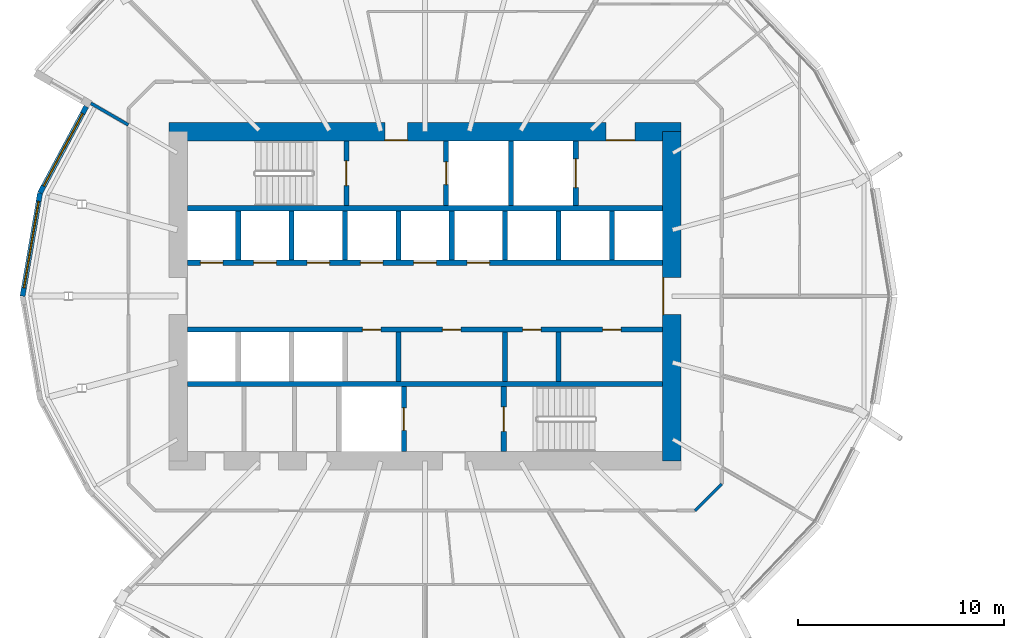
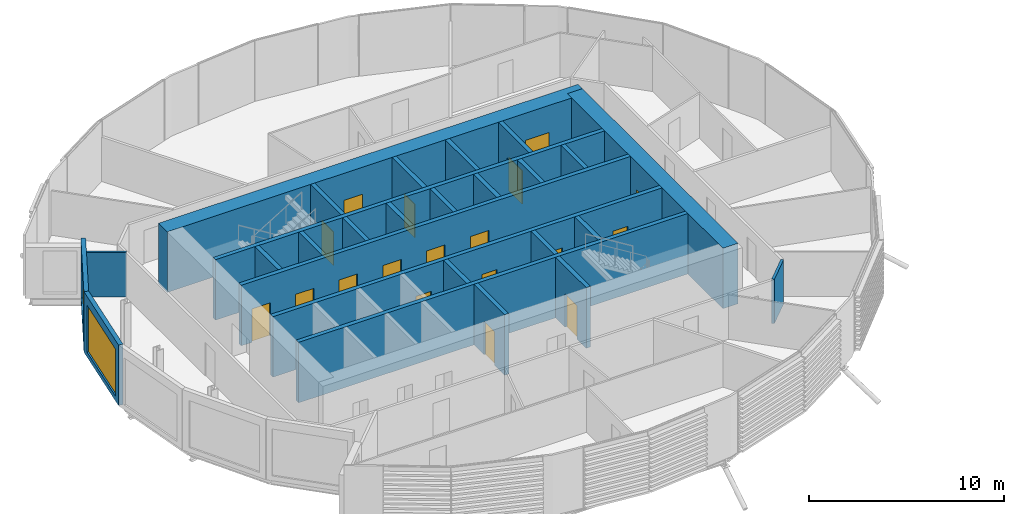
# One storey, part 21 of 37: 27 walls, 18 doors, 2 windows, 20 openings.
"""IFC4 building model written with IfcOpenShell, lengths in metres."""

from ifc_helpers import new_model, si_unit, direction, frame, frame_2d, origin, place, context, subcontext, project, spatial, rectangle, extrude, material, layer, layer_set, type_object, element, fill, save


model = new_model("IFC4")

# Units and contexts
model_context = context("Model", 3, precision=1e-05, world=origin(), true_north=direction((0.0, 1.0)))
body_context = subcontext(model_context, "Body", "Model", "MODEL_VIEW")
ifc_project = project(units=[si_unit("LENGTHUNIT", "METRE"), si_unit("AREAUNIT", "SQUARE_METRE"), si_unit("VOLUMEUNIT", "CUBIC_METRE"), si_unit("PLANEANGLEUNIT", "RADIAN"), si_unit("MASSUNIT", "GRAM", prefix="KILO")], contexts=[model_context])

# Site, building, storey
site_placement = place(None, origin())
site = spatial("IfcSite", under=ifc_project, at=site_placement, CompositionType="ELEMENT")
building_placement = place(site_placement, origin())
building = spatial("IfcBuilding", under=site, at=building_placement, Name="Rimbun Link Towers", CompositionType="ELEMENT")
storey_placement = place(building_placement, frame((0.0, 0.0, 45.199951171875)))
storey = spatial("IfcBuildingStorey", under=building, at=storey_placement, Name="L10", CompositionType="ELEMENT", Elevation=45.199951171875)

# Wall, opening, window
ifc_material_1 = material(Name="Dark enamelled glass spandrel on insulated aluminium backpan", Category="aluminium")
ifc_layer_1 = layer(ifc_material_1, 0.25)
ifc_layer_set_1 = layer_set([ifc_layer_1], Name="CS dark enamelled spandrel wall 250")
wall_type_1 = type_object("IfcWallType", Name="CS dark enamelled spandrel wall 250", PredefinedType="STANDARD", material=ifc_layer_set_1)
wall_1_placement = place(storey_placement, frame((-50.4658203125, 5.023681640625, 0.0), z_axis=(0.0, 0.0, 1.0), x_axis=(0.471684712183, 0.881767277853, 0.0)))
wall_1 = element("IfcWall", 1, at=wall_1_placement, inside=storey, type_object=wall_type_1, Name="Crease spandrel wall", PredefinedType="STANDARD", context=body_context, shape_type="SweptSolid", body=[
    extrude(rectangle(XDim=4.759765625, YDim=0.25, at=frame_2d((2.3798828125, 0.0))), origin(), (0.0, 0.0, 1.0), 3.800048828125),
])
opening_1_placement = place(wall_1_placement, frame((0.3798828125, 0.0, 0.300048828125)))
opening_1 = element("IfcOpeningElement", 2, at=opening_1_placement, cuts=wall_1, Name="Opening WR40H295", PredefinedType="OPENING", context=body_context, shape_type="SweptSolid", body=[
    extrude(rectangle(XDim=4.0, YDim=2.949951171875, at=frame_2d((2.0, 1.47509765625))), frame((0.0, 0.135009765625, 0.0), z_axis=(0.0, -1.0, 0.0), x_axis=(1.0, 0.0, 0.0)), (0.0, 0.0, 1.0), 0.27001953125),
])
ifc_material_2 = material(Name="Aluminium framed fixed window, dark tinted low-e glass", Category="aluminium")
window_type_1 = type_object("IfcWindowType", Name="WR ribbon window 4000X2950", PartitioningType="SINGLE_PANEL", PredefinedType="WINDOW", material=ifc_material_2)
window_1_placement = place(opening_1_placement, origin())
window_1 = element("IfcWindow", 3, at=window_1_placement, inside=storey, type_object=window_type_1, Name="Crease ribbon window", OverallHeight=2.949951171875, OverallWidth=4.0, PartitioningType="SINGLE_PANEL", PredefinedType="WINDOW", context=body_context, shape_type="SweptSolid", body=[
    extrude(rectangle(XDim=4.0, YDim=2.949951171875, at=frame_2d((2.0, 1.47509765625))), frame((0.0, 0.030029296875, 0.0), z_axis=(0.0, -1.0, 0.0), x_axis=(1.0, 0.0, 0.0)), (0.0, 0.0, 1.0), 0.06005859375),
])
fill(opening_1, window_1)

wall_2_placement = place(storey_placement, frame((-51.318603515625, 0.0, 0.0), z_axis=(0.0, 0.0, 1.0), x_axis=(0.167358464332, 0.985896112385, 0.0)))
wall_2 = element("IfcWall", 4, at=wall_2_placement, inside=storey, type_object=wall_type_1, Name="Crease spandrel wall", PredefinedType="STANDARD", context=body_context, shape_type="SweptSolid", body=[
    extrude(rectangle(XDim=5.095458984375, YDim=0.25, at=frame_2d((2.5478515625, 0.0))), origin(), (0.0, 0.0, 1.0), 3.800048828125),
])
opening_2_placement = place(wall_2_placement, frame((0.4228515625, 0.0, 0.300048828125)))
opening_2 = element("IfcOpeningElement", 5, at=opening_2_placement, cuts=wall_2, Name="Opening WR42H295", PredefinedType="OPENING", context=body_context, shape_type="SweptSolid", body=[
    extrude(rectangle(XDim=4.25, YDim=2.949951171875, at=frame_2d((2.125, 1.47509765625))), frame((0.0, 0.135009765625, 0.0), z_axis=(0.0, -1.0, 0.0), x_axis=(1.0, 0.0, 0.0)), (0.0, 0.0, 1.0), 0.27001953125),
])
ifc_material_3 = material(Name="Aluminium framed fixed window, dark tinted low-e glass", Category="aluminium")
window_type_2 = type_object("IfcWindowType", Name="WR ribbon window 4250X2950", PartitioningType="SINGLE_PANEL", PredefinedType="WINDOW", material=ifc_material_3)
window_2_placement = place(opening_2_placement, origin())
window_2 = element("IfcWindow", 6, at=window_2_placement, inside=storey, type_object=window_type_2, Name="Crease ribbon window", OverallHeight=2.949951171875, OverallWidth=4.25, PartitioningType="SINGLE_PANEL", PredefinedType="WINDOW", context=body_context, shape_type="SweptSolid", body=[
    extrude(rectangle(XDim=4.25, YDim=2.949951171875, at=frame_2d((2.125, 1.47509765625))), frame((0.0, 0.030029296875, 0.0), z_axis=(0.0, -1.0, 0.0), x_axis=(1.0, 0.0, 0.0)), (0.0, 0.0, 1.0), 0.06005859375),
])
fill(opening_2, window_2)

# Wall, openings, doors
ifc_material_4 = material(Name="Concrete C60/75", Category="concrete")
ifc_layer_2 = layer(ifc_material_4, 0.89990234375)
ifc_layer_set_2 = layer_set([ifc_layer_2], Name="Core shear wall 900")
wall_type_2 = type_object("IfcWallType", Name="Core shear wall 900", PredefinedType="SHEAR", material=ifc_layer_set_2)
wall_3_placement = place(storey_placement, frame((-44.199951171875, 8.0, 0.0), z_axis=(0.0, 0.0, 1.0), x_axis=(1.0, 0.0, 0.0)))
wall_3 = element("IfcWall", 7, at=wall_3_placement, inside=storey, type_object=wall_type_2, Name="L10 T1 core wall N", PredefinedType="SHEAR", context=body_context, shape_type="SweptSolid", body=[
    extrude(rectangle(XDim=24.89990234375, YDim=0.89990234375, at=frame_2d((12.449951171875, 0.0))), origin(), (0.0, 0.0, 1.0), 3.800048828125),
])
opening_3_placement = place(wall_3_placement, frame((10.5, 0.0, 0.0)))
opening_3 = element("IfcOpeningElement", 8, at=opening_3_placement, cuts=wall_3, Name="Opening C1DCF01N", PredefinedType="OPENING", context=body_context, shape_type="SweptSolid", body=[
    extrude(rectangle(XDim=1.10009765625, YDim=2.10009765625, at=frame_2d((0.550048828125, 1.050048828125))), frame((0.0, 0.4599609375, 0.0), z_axis=(0.0, -1.0, 0.0), x_axis=(1.0, 0.0, 0.0)), (0.0, 0.0, 1.0), 0.919921875),
])
opening_4_placement = place(wall_3_placement, frame((21.25, 0.0, 0.0)))
opening_4 = element("IfcOpeningElement", 9, at=opening_4_placement, cuts=wall_3, Name="Opening C1DSL02N", PredefinedType="OPENING", context=body_context, shape_type="SweptSolid", body=[
    extrude(rectangle(XDim=1.39990234375, YDim=2.10009765625, at=frame_2d((0.699951171875, 1.050048828125))), frame((0.0, 0.4599609375, 0.0), z_axis=(0.0, -1.0, 0.0), x_axis=(1.0, 0.0, 0.0)), (0.0, 0.0, 1.0), 0.919921875),
])
ifc_material_5 = material(Name="Steel fire door set", Category="steel")
door_type_1 = type_object("IfcDoorType", Name="Core fire door single", OperationType="SINGLE_SWING_LEFT", PredefinedType="DOOR", material=ifc_material_5)
door_1_placement = place(opening_3_placement, origin())
door_1 = element("IfcDoor", 10, at=door_1_placement, inside=storey, type_object=door_type_1, Name="L10 T1 firefighting lobby n door", OperationType="SINGLE_SWING_LEFT", OverallHeight=2.10009765625, OverallWidth=1.10009765625, PredefinedType="DOOR", context=body_context, shape_type="SweptSolid", body=[
    extrude(rectangle(XDim=1.10009765625, YDim=2.10009765625, at=frame_2d((0.550048828125, 1.050048828125))), frame((0.0, -0.39990234375, 0.0), z_axis=(0.0, -1.0, 0.0), x_axis=(1.0, 0.0, 0.0)), (0.0, 0.0, 1.0), 0.050048828125),
])
fill(opening_3, door_1)
ifc_material_6 = material(Name="Steel fire door set", Category="steel")
door_type_2 = type_object("IfcDoorType", Name="Service lobby door double", OperationType="DOUBLE_DOOR_SINGLE_SWING", PredefinedType="DOOR", material=ifc_material_6)
door_2_placement = place(opening_4_placement, origin())
door_2 = element("IfcDoor", 11, at=door_2_placement, inside=storey, type_object=door_type_2, Name="L10 T1 service lobby door", OperationType="DOUBLE_DOOR_SINGLE_SWING", OverallHeight=2.10009765625, OverallWidth=1.39990234375, PredefinedType="DOOR", context=body_context, shape_type="SweptSolid", body=[
    extrude(rectangle(XDim=1.39990234375, YDim=2.10009765625, at=frame_2d((0.699951171875, 1.050048828125))), frame((0.0, -0.39990234375, 0.0), z_axis=(0.0, -1.0, 0.0), x_axis=(1.0, 0.0, 0.0)), (0.0, 0.0, 1.0), 0.050048828125),
])
fill(opening_4, door_2)

# Wall, opening, door
wall_4_placement = place(storey_placement, frame((-19.75, -8.0, 0.0), z_axis=(0.0, 0.0, 1.0), x_axis=(0.0, 1.0, 0.0)))
wall_4 = element("IfcWall", 12, at=wall_4_placement, inside=storey, type_object=wall_type_2, Name="L10 T1 core wall E", PredefinedType="SHEAR", context=body_context, shape_type="SweptSolid", body=[
    extrude(rectangle(XDim=16.0, YDim=0.89990234375, at=frame_2d((8.0, 0.0))), origin(), (0.0, 0.0, 1.0), 3.800048828125),
])
opening_5_placement = place(wall_4_placement, frame((7.10009765625, 0.0, 0.0)))
opening_5 = element("IfcOpeningElement", 13, at=opening_5_placement, cuts=wall_4, Name="Opening C1DCL01E", PredefinedType="OPENING", context=body_context, shape_type="SweptSolid", body=[
    extrude(rectangle(XDim=1.800048828125, YDim=2.10009765625, at=frame_2d((0.89990234375, 1.050048828125))), frame((0.0, 0.4599609375, 0.0), z_axis=(0.0, -1.0, 0.0), x_axis=(1.0, 0.0, 0.0)), (0.0, 0.0, 1.0), 0.919921875),
])
ifc_material_7 = material(Name="Steel fire door set", Category="steel")
door_type_3 = type_object("IfcDoorType", Name="Core lobby door double", OperationType="DOUBLE_DOOR_SINGLE_SWING", PredefinedType="DOOR", material=ifc_material_7)
door_3_placement = place(opening_5_placement, origin())
door_3 = element("IfcDoor", 14, at=door_3_placement, inside=storey, type_object=door_type_3, Name="L10 T1 lift lobby door", OperationType="DOUBLE_DOOR_SINGLE_SWING", OverallHeight=2.10009765625, OverallWidth=1.800048828125, PredefinedType="DOOR", context=body_context, shape_type="SweptSolid", body=[
    extrude(rectangle(XDim=1.800048828125, YDim=2.10009765625, at=frame_2d((0.89990234375, 1.050048828125))), frame((0.0, 0.4501953125, 0.0), z_axis=(0.0, -1.0, 0.0), x_axis=(1.0, 0.0, 0.0)), (0.0, 0.0, 1.0), 0.050048828125),
])
fill(opening_5, door_3)

# Walls
ifc_material_8 = material(Name="Plasterboard on steel stud, mineral wool", Category="steel")
ifc_layer_3 = layer(ifc_material_8, 0.14990234375)
ifc_layer_set_3 = layer_set([ifc_layer_3], Name="Corridor wall EI 30 150 mm")
wall_type_3 = type_object("IfcWallType", Name="Corridor wall EI 30 150 mm", PredefinedType="PARTITIONING", material=ifc_layer_set_3)
wall_5_placement = place(storey_placement, frame((-18.623291015625, -10.425048828125, 0.0), z_axis=(0.0, 0.0, 1.0), x_axis=(0.707106781187, 0.707106781187, 0.0)))
element("IfcWall", 15, at=wall_5_placement, inside=storey, type_object=wall_type_3, Name="Corridor wall EI 30 150 mm", PredefinedType="PARTITIONING", context=body_context, shape_type="SweptSolid", body=[
    extrude(rectangle(XDim=1.836181640625, YDim=0.14990234375, at=frame_2d((0.91796875, 0.0))), origin(), (0.0, 0.0, 1.0), 2.779052734375),
])
ifc_material_9 = material(Name="Concrete C60/75", Category="concrete")
ifc_layer_4 = layer(ifc_material_9, 0.25)
ifc_layer_set_4 = layer_set([ifc_layer_4], Name="Shaft wall 250")
wall_type_4 = type_object("IfcWallType", Name="Shaft wall 250", PredefinedType="SHEAR", material=ifc_layer_set_4)
for number, where, z_axis, x_axis, name in (
    (16, (-43.300048828125, 4.27490234375, 0.0), (0.0, 0.0, 1.0), (1.0, 0.0, 0.0), "L10 T1 core wall BN"),
    (17, (-43.300048828125, -4.27490234375, 0.0), (0.0, 0.0, 1.0), (1.0, 0.0, 0.0), "L10 T1 core wall BS"),
):
    element("IfcWall", number, at=place(storey_placement, frame(where, z_axis=z_axis, x_axis=x_axis)), inside=storey, type_object=wall_type_4, Name=name, PredefinedType="SHEAR", context=body_context, shape_type="SweptSolid", body=[
        extrude(rectangle(XDim=23.10009765625, YDim=0.25, at=frame_2d((11.550048828125, 0.0))), origin(), (0.0, 0.0, 1.0), 3.800048828125),
    ])

# Wall, openings, doors
wall_6_placement = place(storey_placement, frame((-43.300048828125, 1.625, 0.0), z_axis=(0.0, 0.0, 1.0), x_axis=(1.0, 0.0, 0.0)))
wall_6 = element("IfcWall", 18, at=wall_6_placement, inside=storey, type_object=wall_type_4, Name="L10 T1 core wall FN", PredefinedType="SHEAR", context=body_context, shape_type="SweptSolid", body=[
    extrude(rectangle(XDim=23.10009765625, YDim=0.25, at=frame_2d((11.550048828125, 0.0))), origin(), (0.0, 0.0, 1.0), 3.800048828125),
])
opening_6_placement = place(wall_6_placement, frame((0.622314453125, 0.0, 0.0)))
opening_6 = element("IfcOpeningElement", 19, at=opening_6_placement, cuts=wall_6, Name="Opening LD-T1-LR1", PredefinedType="OPENING", context=body_context, shape_type="SweptSolid", body=[
    extrude(rectangle(XDim=1.10009765625, YDim=2.10009765625, at=frame_2d((0.550048828125, 1.050048828125))), frame((0.0, 0.135009765625, 0.0), z_axis=(0.0, -1.0, 0.0), x_axis=(1.0, 0.0, 0.0)), (0.0, 0.0, 1.0), 0.27001953125),
])
opening_7_placement = place(wall_6_placement, frame((3.216796875, 0.0, 0.0)))
opening_7 = element("IfcOpeningElement", 20, at=opening_7_placement, cuts=wall_6, Name="Opening LD-T1-LR2", PredefinedType="OPENING", context=body_context, shape_type="SweptSolid", body=[
    extrude(rectangle(XDim=1.10009765625, YDim=2.10009765625, at=frame_2d((0.550048828125, 1.050048828125))), frame((0.0, 0.135009765625, 0.0), z_axis=(0.0, -1.0, 0.0), x_axis=(1.0, 0.0, 0.0)), (0.0, 0.0, 1.0), 0.27001953125),
])
opening_8_placement = place(wall_6_placement, frame((5.81103515625, 0.0, 0.0)))
opening_8 = element("IfcOpeningElement", 21, at=opening_8_placement, cuts=wall_6, Name="Opening LD-T1-LR3", PredefinedType="OPENING", context=body_context, shape_type="SweptSolid", body=[
    extrude(rectangle(XDim=1.10009765625, YDim=2.10009765625, at=frame_2d((0.550048828125, 1.050048828125))), frame((0.0, 0.135009765625, 0.0), z_axis=(0.0, -1.0, 0.0), x_axis=(1.0, 0.0, 0.0)), (0.0, 0.0, 1.0), 0.27001953125),
])
opening_9_placement = place(wall_6_placement, frame((8.405517578125, 0.0, 0.0)))
opening_9 = element("IfcOpeningElement", 22, at=opening_9_placement, cuts=wall_6, Name="Opening LD-T1-LR4", PredefinedType="OPENING", context=body_context, shape_type="SweptSolid", body=[
    extrude(rectangle(XDim=1.10009765625, YDim=2.10009765625, at=frame_2d((0.550048828125, 1.050048828125))), frame((0.0, 0.135009765625, 0.0), z_axis=(0.0, -1.0, 0.0), x_axis=(1.0, 0.0, 0.0)), (0.0, 0.0, 1.0), 0.27001953125),
])
opening_10_placement = place(wall_6_placement, frame((11.0, 0.0, 0.0)))
opening_10 = element("IfcOpeningElement", 23, at=opening_10_placement, cuts=wall_6, Name="Opening LD-T1-LR5", PredefinedType="OPENING", context=body_context, shape_type="SweptSolid", body=[
    extrude(rectangle(XDim=1.10009765625, YDim=2.10009765625, at=frame_2d((0.550048828125, 1.050048828125))), frame((0.0, 0.135009765625, 0.0), z_axis=(0.0, -1.0, 0.0), x_axis=(1.0, 0.0, 0.0)), (0.0, 0.0, 1.0), 0.27001953125),
])
opening_11_placement = place(wall_6_placement, frame((13.594482421875, 0.0, 0.0)))
opening_11 = element("IfcOpeningElement", 24, at=opening_11_placement, cuts=wall_6, Name="Opening LD-T1-LR6", PredefinedType="OPENING", context=body_context, shape_type="SweptSolid", body=[
    extrude(rectangle(XDim=1.10009765625, YDim=2.10009765625, at=frame_2d((0.550048828125, 1.050048828125))), frame((0.0, 0.135009765625, 0.0), z_axis=(0.0, -1.0, 0.0), x_axis=(1.0, 0.0, 0.0)), (0.0, 0.0, 1.0), 0.27001953125),
])
ifc_material_10 = material(Name="Stainless steel grade 316", Category="steel")
door_type_4 = type_object("IfcDoorType", Name="Lift landing door", OperationType="DOUBLE_DOOR_SLIDING", PredefinedType="DOOR", material=ifc_material_10)
door_4_placement = place(opening_6_placement, origin())
door_4 = element("IfcDoor", 25, at=door_4_placement, inside=storey, type_object=door_type_4, Name="L10 T1 lift LR1 landing door", OperationType="DOUBLE_DOOR_SLIDING", OverallHeight=2.10009765625, OverallWidth=1.10009765625, PredefinedType="DOOR", context=body_context, shape_type="SweptSolid", body=[
    extrude(rectangle(XDim=1.10009765625, YDim=2.10009765625, at=frame_2d((0.550048828125, 1.050048828125))), frame((0.0, 0.02490234375, 0.0), z_axis=(0.0, -1.0, 0.0), x_axis=(1.0, 0.0, 0.0)), (0.0, 0.0, 1.0), 0.050048828125),
])
fill(opening_6, door_4)
door_5_placement = place(opening_7_placement, origin())
door_5 = element("IfcDoor", 26, at=door_5_placement, inside=storey, type_object=door_type_4, Name="L10 T1 lift LR2 landing door", OperationType="DOUBLE_DOOR_SLIDING", OverallHeight=2.10009765625, OverallWidth=1.10009765625, PredefinedType="DOOR", context=body_context, shape_type="SweptSolid", body=[
    extrude(rectangle(XDim=1.10009765625, YDim=2.10009765625, at=frame_2d((0.550048828125, 1.050048828125))), frame((0.0, 0.02490234375, 0.0), z_axis=(0.0, -1.0, 0.0), x_axis=(1.0, 0.0, 0.0)), (0.0, 0.0, 1.0), 0.050048828125),
])
fill(opening_7, door_5)
door_6_placement = place(opening_8_placement, origin())
door_6 = element("IfcDoor", 27, at=door_6_placement, inside=storey, type_object=door_type_4, Name="L10 T1 lift LR3 landing door", OperationType="DOUBLE_DOOR_SLIDING", OverallHeight=2.10009765625, OverallWidth=1.10009765625, PredefinedType="DOOR", context=body_context, shape_type="SweptSolid", body=[
    extrude(rectangle(XDim=1.10009765625, YDim=2.10009765625, at=frame_2d((0.550048828125, 1.050048828125))), frame((0.0, 0.02490234375, 0.0), z_axis=(0.0, -1.0, 0.0), x_axis=(1.0, 0.0, 0.0)), (0.0, 0.0, 1.0), 0.050048828125),
])
fill(opening_8, door_6)
door_7_placement = place(opening_9_placement, origin())
door_7 = element("IfcDoor", 28, at=door_7_placement, inside=storey, type_object=door_type_4, Name="L10 T1 lift LR4 landing door", OperationType="DOUBLE_DOOR_SLIDING", OverallHeight=2.10009765625, OverallWidth=1.10009765625, PredefinedType="DOOR", context=body_context, shape_type="SweptSolid", body=[
    extrude(rectangle(XDim=1.10009765625, YDim=2.10009765625, at=frame_2d((0.550048828125, 1.050048828125))), frame((0.0, 0.02490234375, 0.0), z_axis=(0.0, -1.0, 0.0), x_axis=(1.0, 0.0, 0.0)), (0.0, 0.0, 1.0), 0.050048828125),
])
fill(opening_9, door_7)
door_8_placement = place(opening_10_placement, origin())
door_8 = element("IfcDoor", 29, at=door_8_placement, inside=storey, type_object=door_type_4, Name="L10 T1 lift LR5 landing door", OperationType="DOUBLE_DOOR_SLIDING", OverallHeight=2.10009765625, OverallWidth=1.10009765625, PredefinedType="DOOR", context=body_context, shape_type="SweptSolid", body=[
    extrude(rectangle(XDim=1.10009765625, YDim=2.10009765625, at=frame_2d((0.550048828125, 1.050048828125))), frame((0.0, 0.02490234375, 0.0), z_axis=(0.0, -1.0, 0.0), x_axis=(1.0, 0.0, 0.0)), (0.0, 0.0, 1.0), 0.050048828125),
])
fill(opening_10, door_8)
door_9_placement = place(opening_11_placement, origin())
door_9 = element("IfcDoor", 30, at=door_9_placement, inside=storey, type_object=door_type_4, Name="L10 T1 lift LR6 landing door", OperationType="DOUBLE_DOOR_SLIDING", OverallHeight=2.10009765625, OverallWidth=1.10009765625, PredefinedType="DOOR", context=body_context, shape_type="SweptSolid", body=[
    extrude(rectangle(XDim=1.10009765625, YDim=2.10009765625, at=frame_2d((0.550048828125, 1.050048828125))), frame((0.0, 0.02490234375, 0.0), z_axis=(0.0, -1.0, 0.0), x_axis=(1.0, 0.0, 0.0)), (0.0, 0.0, 1.0), 0.050048828125),
])
fill(opening_11, door_9)

wall_7_placement = place(storey_placement, frame((-43.300048828125, -1.625, 0.0), z_axis=(0.0, 0.0, 1.0), x_axis=(1.0, 0.0, 0.0)))
wall_7 = element("IfcWall", 31, at=wall_7_placement, inside=storey, type_object=wall_type_4, Name="L10 T1 core wall FS", PredefinedType="SHEAR", context=body_context, shape_type="SweptSolid", body=[
    extrude(rectangle(XDim=23.10009765625, YDim=0.25, at=frame_2d((11.550048828125, 0.0))), origin(), (0.0, 0.0, 1.0), 3.800048828125),
])
opening_12_placement = place(wall_7_placement, frame((8.505615234375, 0.0, 0.0)))
opening_12 = element("IfcOpeningElement", 32, at=opening_12_placement, cuts=wall_7, Name="Opening C1DRS01FS", PredefinedType="OPENING", context=body_context, shape_type="SweptSolid", body=[
    extrude(rectangle(XDim=0.89990234375, YDim=2.10009765625, at=frame_2d((0.449951171875, 1.050048828125))), frame((0.0, 0.135009765625, 0.0), z_axis=(0.0, -1.0, 0.0), x_axis=(1.0, 0.0, 0.0)), (0.0, 0.0, 1.0), 0.27001953125),
])
opening_13_placement = place(wall_7_placement, frame((12.397216796875, 0.0, 0.0)))
opening_13 = element("IfcOpeningElement", 33, at=opening_13_placement, cuts=wall_7, Name="Opening C1DRS02FS", PredefinedType="OPENING", context=body_context, shape_type="SweptSolid", body=[
    extrude(rectangle(XDim=0.89990234375, YDim=2.10009765625, at=frame_2d((0.449951171875, 1.050048828125))), frame((0.0, 0.135009765625, 0.0), z_axis=(0.0, -1.0, 0.0), x_axis=(1.0, 0.0, 0.0)), (0.0, 0.0, 1.0), 0.27001953125),
])
opening_14_placement = place(wall_7_placement, frame((16.288818359375, 0.0, 0.0)))
opening_14 = element("IfcOpeningElement", 34, at=opening_14_placement, cuts=wall_7, Name="Opening C1DRS03FS", PredefinedType="OPENING", context=body_context, shape_type="SweptSolid", body=[
    extrude(rectangle(XDim=0.89990234375, YDim=2.10009765625, at=frame_2d((0.449951171875, 1.050048828125))), frame((0.0, 0.135009765625, 0.0), z_axis=(0.0, -1.0, 0.0), x_axis=(1.0, 0.0, 0.0)), (0.0, 0.0, 1.0), 0.27001953125),
])
opening_15_placement = place(wall_7_placement, frame((20.1806640625, 0.0, 0.0)))
opening_15 = element("IfcOpeningElement", 35, at=opening_15_placement, cuts=wall_7, Name="Opening C1DRS04FS", PredefinedType="OPENING", context=body_context, shape_type="SweptSolid", body=[
    extrude(rectangle(XDim=0.89990234375, YDim=2.10009765625, at=frame_2d((0.449951171875, 1.050048828125))), frame((0.0, 0.135009765625, 0.0), z_axis=(0.0, -1.0, 0.0), x_axis=(1.0, 0.0, 0.0)), (0.0, 0.0, 1.0), 0.27001953125),
])
ifc_material_11 = material(Name="Steel fire door set", Category="steel")
door_type_5 = type_object("IfcDoorType", Name="Core riser door", OperationType="SINGLE_SWING_LEFT", PredefinedType="DOOR", material=ifc_material_11)
door_10_placement = place(opening_12_placement, origin())
door_10 = element("IfcDoor", 36, at=door_10_placement, inside=storey, type_object=door_type_5, Name="L10 T1 cleaner store door", OperationType="SINGLE_SWING_LEFT", OverallHeight=2.10009765625, OverallWidth=0.89990234375, PredefinedType="DOOR", context=body_context, shape_type="SweptSolid", body=[
    extrude(rectangle(XDim=0.89990234375, YDim=2.10009765625, at=frame_2d((0.449951171875, 1.050048828125))), frame((0.0, 0.02490234375, 0.0), z_axis=(0.0, -1.0, 0.0), x_axis=(1.0, 0.0, 0.0)), (0.0, 0.0, 1.0), 0.050048828125),
])
fill(opening_12, door_10)
door_11_placement = place(opening_13_placement, origin())
door_11 = element("IfcDoor", 37, at=door_11_placement, inside=storey, type_object=door_type_5, Name="L10 T1 staff lounge door", OperationType="SINGLE_SWING_LEFT", OverallHeight=2.10009765625, OverallWidth=0.89990234375, PredefinedType="DOOR", context=body_context, shape_type="SweptSolid", body=[
    extrude(rectangle(XDim=0.89990234375, YDim=2.10009765625, at=frame_2d((0.449951171875, 1.050048828125))), frame((0.0, 0.02490234375, 0.0), z_axis=(0.0, -1.0, 0.0), x_axis=(1.0, 0.0, 0.0)), (0.0, 0.0, 1.0), 0.050048828125),
])
fill(opening_13, door_11)
door_12_placement = place(opening_14_placement, origin())
door_12 = element("IfcDoor", 38, at=door_12_placement, inside=storey, type_object=door_type_5, Name="L10 T1 stationery store door", OperationType="SINGLE_SWING_RIGHT", OverallHeight=2.10009765625, OverallWidth=0.89990234375, PredefinedType="DOOR", context=body_context, shape_type="SweptSolid", body=[
    extrude(rectangle(XDim=0.89990234375, YDim=2.10009765625, at=frame_2d((0.449951171875, 1.050048828125))), frame((0.0, 0.02490234375, 0.0), z_axis=(0.0, -1.0, 0.0), x_axis=(1.0, 0.0, 0.0)), (0.0, 0.0, 1.0), 0.050048828125),
])
fill(opening_14, door_12)
door_13_placement = place(opening_15_placement, origin())
door_13 = element("IfcDoor", 39, at=door_13_placement, inside=storey, type_object=door_type_5, Name="L10 T1 server room door", OperationType="SINGLE_SWING_LEFT", OverallHeight=2.10009765625, OverallWidth=0.89990234375, PredefinedType="DOOR", context=body_context, shape_type="SweptSolid", body=[
    extrude(rectangle(XDim=0.89990234375, YDim=2.10009765625, at=frame_2d((0.449951171875, 1.050048828125))), frame((0.0, 0.02490234375, 0.0), z_axis=(0.0, -1.0, 0.0), x_axis=(1.0, 0.0, 0.0)), (0.0, 0.0, 1.0), 0.050048828125),
])
fill(opening_15, door_13)

# Walls
for number, where, z_axis, x_axis, name in (
    (40, (-40.83056640625, 1.75, 0.0), (0.0, 0.0, 1.0), (0.0, 1.0, 0.0), "L10 T1 core wall DN0"),
    (41, (-38.236083984375, 1.75, 0.0), (0.0, 0.0, 1.0), (0.0, 1.0, 0.0), "L10 T1 core wall DN1"),
    (42, (-35.6416015625, 1.75, 0.0), (0.0, 0.0, 1.0), (0.0, 1.0, 0.0), "L10 T1 core wall DN2"),
    (43, (-33.047119140625, 1.75, 0.0), (0.0, 0.0, 1.0), (0.0, 1.0, 0.0), "L10 T1 core wall DN3"),
    (44, (-30.452880859375, 1.75, 0.0), (0.0, 0.0, 1.0), (0.0, 1.0, 0.0), "L10 T1 core wall DN4"),
    (45, (-27.8583984375, 1.75, 0.0), (0.0, 0.0, 1.0), (0.0, 1.0, 0.0), "L10 T1 core wall DN5"),
    (46, (-25.263916015625, 1.75, 0.0), (0.0, 0.0, 1.0), (0.0, 1.0, 0.0), "L10 T1 core wall DN6"),
    (47, (-22.66943359375, 1.75, 0.0), (0.0, 0.0, 1.0), (0.0, 1.0, 0.0), "L10 T1 core wall DN7"),
    (48, (-33.047119140625, -4.14990234375, 0.0), (0.0, 0.0, 1.0), (0.0, 1.0, 0.0), "L10 T1 core wall DS3"),
    (49, (-27.8583984375, -4.14990234375, 0.0), (0.0, 0.0, 1.0), (0.0, 1.0, 0.0), "L10 T1 core wall DS5"),
    (50, (-25.263916015625, -4.14990234375, 0.0), (0.0, 0.0, 1.0), (0.0, 1.0, 0.0), "L10 T1 core wall DS6"),
):
    element("IfcWall", number, at=place(storey_placement, frame(where, z_axis=z_axis, x_axis=x_axis)), inside=storey, type_object=wall_type_4, Name=name, PredefinedType="SHEAR", context=body_context, shape_type="SweptSolid", body=[
        extrude(rectangle(XDim=2.39990234375, YDim=0.25, at=frame_2d((1.199951171875, 0.0))), origin(), (0.0, 0.0, 1.0), 3.800048828125),
    ])

# Wall, opening, door
wall_8_placement = place(storey_placement, frame((-35.574951171875, 4.39990234375, 0.0), z_axis=(0.0, 0.0, 1.0), x_axis=(0.0, 1.0, 0.0)))
wall_8 = element("IfcWall", 51, at=wall_8_placement, inside=storey, type_object=wall_type_4, Name="L10 T1 core wall A1", PredefinedType="SHEAR", context=body_context, shape_type="SweptSolid", body=[
    extrude(rectangle(XDim=3.150146484375, YDim=0.25, at=frame_2d((1.5751953125, 0.0))), origin(), (0.0, 0.0, 1.0), 3.800048828125),
])
opening_16_placement = place(wall_8_placement, frame((0.97509765625, 0.0, 0.0)))
opening_16 = element("IfcOpeningElement", 52, at=opening_16_placement, cuts=wall_8, Name="Opening C1DST01A1", PredefinedType="OPENING", context=body_context, shape_type="SweptSolid", body=[
    extrude(rectangle(XDim=1.199951171875, YDim=2.10009765625, at=frame_2d((0.60009765625, 1.050048828125))), frame((0.0, 0.135009765625, 0.0), z_axis=(0.0, -1.0, 0.0), x_axis=(1.0, 0.0, 0.0)), (0.0, 0.0, 1.0), 0.27001953125),
])
ifc_material_12 = material(Name="Steel fire door set", Category="steel")
door_type_6 = type_object("IfcDoorType", Name="Stair door", OperationType="SINGLE_SWING_LEFT", PredefinedType="DOOR", material=ifc_material_12)
door_14_placement = place(opening_16_placement, origin())
door_14 = element("IfcDoor", 53, at=door_14_placement, inside=storey, type_object=door_type_6, Name="L10 T1 stair a door", OperationType="SINGLE_SWING_RIGHT", OverallHeight=2.10009765625, OverallWidth=1.199951171875, PredefinedType="DOOR", context=body_context, shape_type="SweptSolid", body=[
    extrude(rectangle(XDim=1.199951171875, YDim=2.10009765625, at=frame_2d((0.60009765625, 1.050048828125))), frame((0.0, 0.02490234375, 0.0), z_axis=(0.0, -1.0, 0.0), x_axis=(1.0, 0.0, 0.0)), (0.0, 0.0, 1.0), 0.050048828125),
])
fill(opening_16, door_14)

wall_9_placement = place(storey_placement, frame((-30.72509765625, 4.39990234375, 0.0), z_axis=(0.0, 0.0, 1.0), x_axis=(0.0, 1.0, 0.0)))
wall_9 = element("IfcWall", 54, at=wall_9_placement, inside=storey, type_object=wall_type_4, Name="L10 T1 core wall A2", PredefinedType="SHEAR", context=body_context, shape_type="SweptSolid", body=[
    extrude(rectangle(XDim=3.150146484375, YDim=0.25, at=frame_2d((1.5751953125, 0.0))), origin(), (0.0, 0.0, 1.0), 3.800048828125),
])
opening_17_placement = place(wall_9_placement, frame((1.02490234375, 0.0, 0.0)))
opening_17 = element("IfcOpeningElement", 55, at=opening_17_placement, cuts=wall_9, Name="Opening LD-T1-FF1", PredefinedType="OPENING", context=body_context, shape_type="SweptSolid", body=[
    extrude(rectangle(XDim=1.10009765625, YDim=2.10009765625, at=frame_2d((0.550048828125, 1.050048828125))), frame((0.0, 0.135009765625, 0.0), z_axis=(0.0, -1.0, 0.0), x_axis=(1.0, 0.0, 0.0)), (0.0, 0.0, 1.0), 0.27001953125),
])
door_15_placement = place(opening_17_placement, origin())
door_15 = element("IfcDoor", 56, at=door_15_placement, inside=storey, type_object=door_type_4, Name="L10 T1 lift FF1 landing door", OperationType="DOUBLE_DOOR_SLIDING", OverallHeight=2.10009765625, OverallWidth=1.10009765625, PredefinedType="DOOR", context=body_context, shape_type="SweptSolid", body=[
    extrude(rectangle(XDim=1.10009765625, YDim=2.10009765625, at=frame_2d((0.550048828125, 1.050048828125))), frame((0.0, 0.02490234375, 0.0), z_axis=(0.0, -1.0, 0.0), x_axis=(1.0, 0.0, 0.0)), (0.0, 0.0, 1.0), 0.050048828125),
])
fill(opening_17, door_15)

# Wall
wall_10_placement = place(storey_placement, frame((-27.574951171875, 4.39990234375, 0.0), z_axis=(0.0, 0.0, 1.0), x_axis=(0.0, 1.0, 0.0)))
element("IfcWall", 57, at=wall_10_placement, inside=storey, type_object=wall_type_4, Name="L10 T1 core wall A3", PredefinedType="SHEAR", context=body_context, shape_type="SweptSolid", body=[
    extrude(rectangle(XDim=3.150146484375, YDim=0.25, at=frame_2d((1.5751953125, 0.0))), origin(), (0.0, 0.0, 1.0), 3.800048828125),
])

# Wall, opening, door
wall_11_placement = place(storey_placement, frame((-24.425048828125, 4.39990234375, 0.0), z_axis=(0.0, 0.0, 1.0), x_axis=(0.0, 1.0, 0.0)))
wall_11 = element("IfcWall", 58, at=wall_11_placement, inside=storey, type_object=wall_type_4, Name="L10 T1 core wall A4", PredefinedType="SHEAR", context=body_context, shape_type="SweptSolid", body=[
    extrude(rectangle(XDim=3.150146484375, YDim=0.25, at=frame_2d((1.5751953125, 0.0))), origin(), (0.0, 0.0, 1.0), 3.800048828125),
])
opening_18_placement = place(wall_11_placement, frame((0.875, 0.0, 0.0)))
opening_18 = element("IfcOpeningElement", 59, at=opening_18_placement, cuts=wall_11, Name="Opening LD-T1-GL1", PredefinedType="OPENING", context=body_context, shape_type="SweptSolid", body=[
    extrude(rectangle(XDim=1.39990234375, YDim=2.10009765625, at=frame_2d((0.699951171875, 1.050048828125))), frame((0.0, 0.135009765625, 0.0), z_axis=(0.0, -1.0, 0.0), x_axis=(1.0, 0.0, 0.0)), (0.0, 0.0, 1.0), 0.27001953125),
])
ifc_material_13 = material(Name="Stainless steel grade 316", Category="steel")
door_type_7 = type_object("IfcDoorType", Name="Goods lift landing door", OperationType="DOUBLE_DOOR_SLIDING", PredefinedType="DOOR", material=ifc_material_13)
door_16_placement = place(opening_18_placement, origin())
door_16 = element("IfcDoor", 60, at=door_16_placement, inside=storey, type_object=door_type_7, Name="L10 T1 lift GL1 landing door", OperationType="DOUBLE_DOOR_SLIDING", OverallHeight=2.10009765625, OverallWidth=1.39990234375, PredefinedType="DOOR", context=body_context, shape_type="SweptSolid", body=[
    extrude(rectangle(XDim=1.39990234375, YDim=2.10009765625, at=frame_2d((0.699951171875, 1.050048828125))), frame((0.0, 0.02490234375, 0.0), z_axis=(0.0, -1.0, 0.0), x_axis=(1.0, 0.0, 0.0)), (0.0, 0.0, 1.0), 0.050048828125),
])
fill(opening_18, door_16)

wall_12_placement = place(storey_placement, frame((-27.925048828125, -4.39990234375, 0.0), z_axis=(0.0, 0.0, 1.0), x_axis=(0.0, -1.0, 0.0)))
wall_12 = element("IfcWall", 61, at=wall_12_placement, inside=storey, type_object=wall_type_4, Name="L10 T1 core wall B1", PredefinedType="SHEAR", context=body_context, shape_type="SweptSolid", body=[
    extrude(rectangle(XDim=3.150146484375, YDim=0.25, at=frame_2d((1.5751953125, 0.0))), origin(), (0.0, 0.0, 1.0), 3.800048828125),
])
opening_19_placement = place(wall_12_placement, frame((0.97509765625, 0.0, 0.0)))
opening_19 = element("IfcOpeningElement", 62, at=opening_19_placement, cuts=wall_12, Name="Opening C1DST01B1", PredefinedType="OPENING", context=body_context, shape_type="SweptSolid", body=[
    extrude(rectangle(XDim=1.199951171875, YDim=2.10009765625, at=frame_2d((0.60009765625, 1.050048828125))), frame((0.0, 0.135009765625, 0.0), z_axis=(0.0, -1.0, 0.0), x_axis=(1.0, 0.0, 0.0)), (0.0, 0.0, 1.0), 0.27001953125),
])
door_17_placement = place(opening_19_placement, origin())
door_17 = element("IfcDoor", 63, at=door_17_placement, inside=storey, type_object=door_type_6, Name="L10 T1 stair b door", OperationType="SINGLE_SWING_LEFT", OverallHeight=2.10009765625, OverallWidth=1.199951171875, PredefinedType="DOOR", context=body_context, shape_type="SweptSolid", body=[
    extrude(rectangle(XDim=1.199951171875, YDim=2.10009765625, at=frame_2d((0.60009765625, 1.050048828125))), frame((0.0, 0.02490234375, 0.0), z_axis=(0.0, -1.0, 0.0), x_axis=(1.0, 0.0, 0.0)), (0.0, 0.0, 1.0), 0.050048828125),
])
fill(opening_19, door_17)

wall_13_placement = place(storey_placement, frame((-32.77490234375, -4.39990234375, 0.0), z_axis=(0.0, 0.0, 1.0), x_axis=(0.0, -1.0, 0.0)))
wall_13 = element("IfcWall", 64, at=wall_13_placement, inside=storey, type_object=wall_type_4, Name="L10 T1 core wall B2", PredefinedType="SHEAR", context=body_context, shape_type="SweptSolid", body=[
    extrude(rectangle(XDim=3.150146484375, YDim=0.25, at=frame_2d((1.5751953125, 0.0))), origin(), (0.0, 0.0, 1.0), 3.800048828125),
])
opening_20_placement = place(wall_13_placement, frame((1.02490234375, 0.0, 0.0)))
opening_20 = element("IfcOpeningElement", 65, at=opening_20_placement, cuts=wall_13, Name="Opening LD-T1-FF2", PredefinedType="OPENING", context=body_context, shape_type="SweptSolid", body=[
    extrude(rectangle(XDim=1.10009765625, YDim=2.10009765625, at=frame_2d((0.550048828125, 1.050048828125))), frame((0.0, 0.135009765625, 0.0), z_axis=(0.0, -1.0, 0.0), x_axis=(1.0, 0.0, 0.0)), (0.0, 0.0, 1.0), 0.27001953125),
])
door_18_placement = place(opening_20_placement, origin())
door_18 = element("IfcDoor", 66, at=door_18_placement, inside=storey, type_object=door_type_4, Name="L10 T1 lift FF2 landing door", OperationType="DOUBLE_DOOR_SLIDING", OverallHeight=2.10009765625, OverallWidth=1.10009765625, PredefinedType="DOOR", context=body_context, shape_type="SweptSolid", body=[
    extrude(rectangle(XDim=1.10009765625, YDim=2.10009765625, at=frame_2d((0.550048828125, 1.050048828125))), frame((0.0, 0.02490234375, 0.0), z_axis=(0.0, -1.0, 0.0), x_axis=(1.0, 0.0, 0.0)), (0.0, 0.0, 1.0), 0.050048828125),
])
fill(opening_20, door_18)

# Wall
ifc_material_14 = material(Name="Plasterboard on steel stud, mineral wool", Category="steel")
ifc_layer_5 = layer(ifc_material_14, 0.14990234375)
ifc_layer_set_5 = layer_set([ifc_layer_5], Name="Tenancy separation wall EI 60 150 mm")
wall_type_5 = type_object("IfcWallType", Name="Tenancy separation wall EI 60 150 mm", PredefinedType="PARTITIONING", material=ifc_layer_set_5)
wall_14_placement = place(storey_placement, frame((-46.175048828125, 8.328369140625, 0.0), z_axis=(0.0, 0.0, 1.0), x_axis=(-0.866046247233, 0.49996389635, 0.0)))
element("IfcWall", 67, at=wall_14_placement, inside=storey, type_object=wall_type_5, Name="Tenancy separation wall EI 60 150 mm", PredefinedType="PARTITIONING", context=body_context, shape_type="SweptSolid", body=[
    extrude(rectangle(XDim=2.100830078125, YDim=0.14990234375, at=frame_2d((1.05029296875, 0.0))), origin(), (0.0, 0.0, 1.0), 2.779052734375),
])

save(model, "model.ifc")
